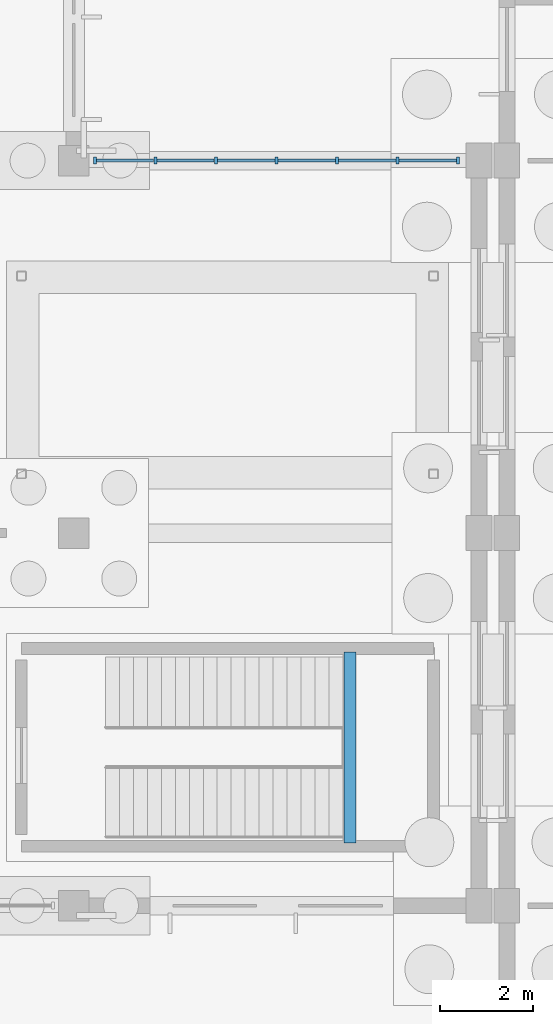
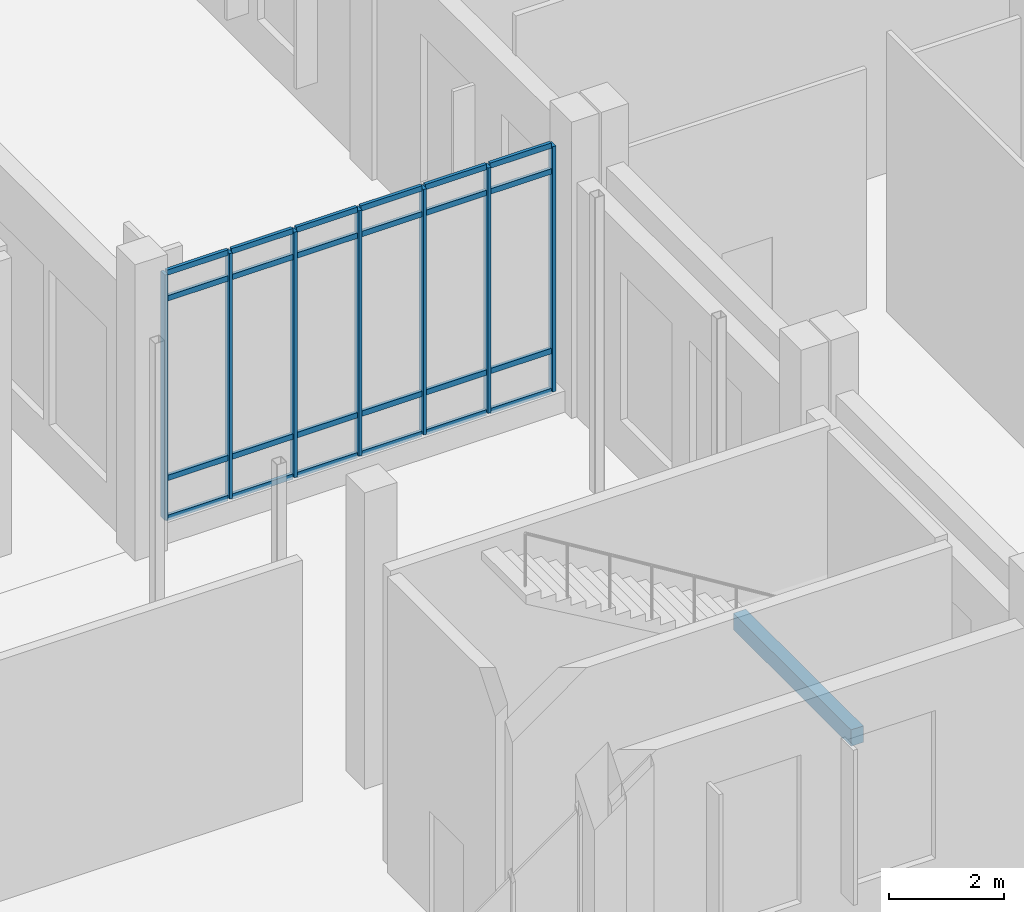
# One storey, part 42 of 99: 31 members, 1 beam, 1 element without a shape of its own.
"""IFC4 building model written with IfcOpenShell, lengths in metres."""

from ifc_helpers import new_model, si_unit, direction, frame, origin, origin_2d, place, context, subcontext, project, spatial, rectangle, extrude, material, layer, layer_set, material_profile, profile_set, type_object, element, aggregate, save


model = new_model("IFC4")

# Units and contexts
model_context = context("Model", 3, precision=1e-05, world=origin(), true_north=direction((0.0, 1.0)))
body_context = subcontext(model_context, "Body", "Model", "MODEL_VIEW")
ifc_project = project(units=[si_unit("LENGTHUNIT", "METRE"), si_unit("AREAUNIT", "SQUARE_METRE"), si_unit("VOLUMEUNIT", "CUBIC_METRE"), si_unit("PLANEANGLEUNIT", "RADIAN"), si_unit("MASSUNIT", "GRAM", prefix="KILO")], contexts=[model_context])

# Site, building, storey
site_placement = place(None, origin())
site = spatial("IfcSite", under=ifc_project, at=site_placement, CompositionType="ELEMENT")
building_placement = place(site_placement, origin())
building = spatial("IfcBuilding", under=site, at=building_placement, Name="Zacnel Wholesale Market", CompositionType="ELEMENT")
storey_placement = place(building_placement, origin())
storey = spatial("IfcBuildingStorey", under=building, at=storey_placement, Name="L01", CompositionType="ELEMENT", Elevation=0.0)

# Beam
ifc_material_1 = material(Name="Precast concrete C45/55", Category="concrete")
ifc_material_profile_1 = material_profile(ifc_material_1, rectangle(XDim=0.25, YDim=0.35009765625, at=origin_2d()), Name="LN 250x350")
ifc_profile_set_1 = profile_set([ifc_material_profile_1], Name="Precast concrete C45/55")
beam_type = type_object("IfcBeamType", Name="BM-LN350", PredefinedType="LINTEL", material=ifc_profile_set_1)
beam_placement = place(storey_placement, frame((140.929931640625, 9.35009765625, 2.77490234375), z_axis=(0.0, 1.0, 0.0), x_axis=(-1.0, 0.0, 0.0)))
element("IfcBeam", 1, at=beam_placement, inside=storey, type_object=beam_type, Name="Stair ST-24 half-landing bearing beam", PredefinedType="LINTEL", context=body_context, shape_type="SweptSolid", body=[
    extrude(rectangle(XDim=0.25, YDim=0.35009765625, at=origin_2d()), origin(), (0.0, 0.0, 1.0), 4.099853515625),
])

# Curtain wall, members
ifc_material_2 = material(Name="Anodised aluminium", Category="aluminium")
ifc_layer = layer(ifc_material_2, 0.159912109375)
ifc_layer_set = layer_set([ifc_layer], Name="Anodised aluminium")
curtain_wall_type = type_object("IfcCurtainWallType", Name="CW-TERR-3900", PredefinedType="NOTDEFINED", material=ifc_layer_set)
curtain_wall_placement = place(storey_placement, origin())
curtain_wall = element("IfcCurtainWall", 2, at=curtain_wall_placement, inside=storey, type_object=curtain_wall_type, Name="Curtain wall ENV-R2-CW-L01-004", PredefinedType="NOTDEFINED")
ifc_material_3 = material(Name="Anodised aluminium", Category="aluminium")
ifc_material_profile_2 = material_profile(ifc_material_3, rectangle(XDim=0.06494140625, YDim=0.14990234375, at=origin_2d()), Name="AW-MULLION 65x150")
ifc_profile_set_2 = profile_set([ifc_material_profile_2], Name="Anodised aluminium")
member_type_1 = type_object("IfcMemberType", Name="CWM-MUL-05", PredefinedType="MULLION", material=ifc_profile_set_2)
member_1_placement = place(storey_placement, frame((135.449951171875, 24.0, 0.449951171875), z_axis=(0.0, 0.0, 1.0), x_axis=(1.0, 0.0, 0.0)))
member_1 = element("IfcMember", 3, at=member_1_placement, type_object=member_type_1, Name="ENV-R2-CW-L01-004 mullion 01", PredefinedType="MULLION", context=body_context, shape_type="SweptSolid", body=[
    extrude(rectangle(XDim=0.06494140625, YDim=0.14990234375, at=origin_2d()), origin(), (0.0, 0.0, 1.0), 5.219970703125),
])
member_2_placement = place(storey_placement, frame((136.75, 24.0, 0.449951171875), z_axis=(0.0, 0.0, 1.0), x_axis=(1.0, 0.0, 0.0)))
member_2 = element("IfcMember", 4, at=member_2_placement, type_object=member_type_1, Name="ENV-R2-CW-L01-004 mullion 02", PredefinedType="MULLION", context=body_context, shape_type="SweptSolid", body=[
    extrude(rectangle(XDim=0.06494140625, YDim=0.14990234375, at=origin_2d()), origin(), (0.0, 0.0, 1.0), 5.219970703125),
])
member_3_placement = place(storey_placement, frame((138.050048828125, 24.0, 0.449951171875), z_axis=(0.0, 0.0, 1.0), x_axis=(1.0, 0.0, 0.0)))
member_3 = element("IfcMember", 5, at=member_3_placement, type_object=member_type_1, Name="ENV-R2-CW-L01-004 mullion 03", PredefinedType="MULLION", context=body_context, shape_type="SweptSolid", body=[
    extrude(rectangle(XDim=0.06494140625, YDim=0.14990234375, at=origin_2d()), origin(), (0.0, 0.0, 1.0), 5.219970703125),
])
member_4_placement = place(storey_placement, frame((139.35009765625, 24.0, 0.449951171875), z_axis=(0.0, 0.0, 1.0), x_axis=(1.0, 0.0, 0.0)))
member_4 = element("IfcMember", 6, at=member_4_placement, type_object=member_type_1, Name="ENV-R2-CW-L01-004 mullion 04", PredefinedType="MULLION", context=body_context, shape_type="SweptSolid", body=[
    extrude(rectangle(XDim=0.06494140625, YDim=0.14990234375, at=origin_2d()), origin(), (0.0, 0.0, 1.0), 5.219970703125),
])
member_5_placement = place(storey_placement, frame((140.64990234375, 24.0, 0.449951171875), z_axis=(0.0, 0.0, 1.0), x_axis=(1.0, 0.0, 0.0)))
member_5 = element("IfcMember", 7, at=member_5_placement, type_object=member_type_1, Name="ENV-R2-CW-L01-004 mullion 05", PredefinedType="MULLION", context=body_context, shape_type="SweptSolid", body=[
    extrude(rectangle(XDim=0.06494140625, YDim=0.14990234375, at=origin_2d()), origin(), (0.0, 0.0, 1.0), 5.219970703125),
])
member_6_placement = place(storey_placement, frame((141.949951171875, 24.0, 0.449951171875), z_axis=(0.0, 0.0, 1.0), x_axis=(1.0, 0.0, 0.0)))
member_6 = element("IfcMember", 8, at=member_6_placement, type_object=member_type_1, Name="ENV-R2-CW-L01-004 mullion 06", PredefinedType="MULLION", context=body_context, shape_type="SweptSolid", body=[
    extrude(rectangle(XDim=0.06494140625, YDim=0.14990234375, at=origin_2d()), origin(), (0.0, 0.0, 1.0), 5.219970703125),
])
member_7_placement = place(storey_placement, frame((143.25, 24.0, 0.449951171875), z_axis=(0.0, 0.0, 1.0), x_axis=(1.0, 0.0, 0.0)))
member_7 = element("IfcMember", 9, at=member_7_placement, type_object=member_type_1, Name="ENV-R2-CW-L01-004 mullion 07", PredefinedType="MULLION", context=body_context, shape_type="SweptSolid", body=[
    extrude(rectangle(XDim=0.06494140625, YDim=0.14990234375, at=origin_2d()), origin(), (0.0, 0.0, 1.0), 5.219970703125),
])
ifc_material_4 = material(Name="Anodised aluminium", Category="aluminium")
ifc_material_profile_3 = material_profile(ifc_material_4, rectangle(XDim=0.06494140625, YDim=0.114990234375, at=origin_2d()), Name="AW-TRANSOM 65x115")
ifc_profile_set_3 = profile_set([ifc_material_profile_3], Name="Anodised aluminium")
member_type_2 = type_object("IfcMemberType", Name="CWM-TRN-05", PredefinedType="USERDEFINED", material=ifc_profile_set_3)
member_8_placement = place(storey_placement, frame((135.485107421875, 24.0, 0.449951171875), z_axis=(1.0, 0.0, 0.0), x_axis=(0.0, 1.0, 0.0)))
member_8 = element("IfcMember", 10, at=member_8_placement, type_object=member_type_2, Name="ENV-R2-CW-L01-004 transom 1-1", ObjectType="TRANSOM", PredefinedType="USERDEFINED", context=body_context, shape_type="SweptSolid", body=[
    extrude(rectangle(XDim=0.06494140625, YDim=0.114990234375, at=origin_2d()), origin(), (0.0, 0.0, 1.0), 1.22998046875),
])
member_9_placement = place(storey_placement, frame((135.485107421875, 24.0, 1.300048828125), z_axis=(1.0, 0.0, 0.0), x_axis=(0.0, 1.0, 0.0)))
member_9 = element("IfcMember", 11, at=member_9_placement, type_object=member_type_2, Name="ENV-R2-CW-L01-004 transom 1-2", ObjectType="TRANSOM", PredefinedType="USERDEFINED", context=body_context, shape_type="SweptSolid", body=[
    extrude(rectangle(XDim=0.06494140625, YDim=0.114990234375, at=origin_2d()), origin(), (0.0, 0.0, 1.0), 1.22998046875),
])
member_10_placement = place(storey_placement, frame((135.485107421875, 24.0, 5.1201171875), z_axis=(1.0, 0.0, 0.0), x_axis=(0.0, 1.0, 0.0)))
member_10 = element("IfcMember", 12, at=member_10_placement, type_object=member_type_2, Name="ENV-R2-CW-L01-004 transom 1-3", ObjectType="TRANSOM", PredefinedType="USERDEFINED", context=body_context, shape_type="SweptSolid", body=[
    extrude(rectangle(XDim=0.06494140625, YDim=0.114990234375, at=origin_2d()), origin(), (0.0, 0.0, 1.0), 1.22998046875),
])
member_11_placement = place(storey_placement, frame((135.485107421875, 24.0, 5.669921875), z_axis=(1.0, 0.0, 0.0), x_axis=(0.0, 1.0, 0.0)))
member_11 = element("IfcMember", 13, at=member_11_placement, type_object=member_type_2, Name="ENV-R2-CW-L01-004 transom 1-4", ObjectType="TRANSOM", PredefinedType="USERDEFINED", context=body_context, shape_type="SweptSolid", body=[
    extrude(rectangle(XDim=0.06494140625, YDim=0.114990234375, at=origin_2d()), origin(), (0.0, 0.0, 1.0), 1.22998046875),
])
member_12_placement = place(storey_placement, frame((136.784912109375, 24.0, 0.449951171875), z_axis=(1.0, 0.0, 0.0), x_axis=(0.0, 1.0, 0.0)))
member_12 = element("IfcMember", 14, at=member_12_placement, type_object=member_type_2, Name="ENV-R2-CW-L01-004 transom 2-1", ObjectType="TRANSOM", PredefinedType="USERDEFINED", context=body_context, shape_type="SweptSolid", body=[
    extrude(rectangle(XDim=0.06494140625, YDim=0.114990234375, at=origin_2d()), origin(), (0.0, 0.0, 1.0), 1.22998046875),
])
member_13_placement = place(storey_placement, frame((136.784912109375, 24.0, 1.300048828125), z_axis=(1.0, 0.0, 0.0), x_axis=(0.0, 1.0, 0.0)))
member_13 = element("IfcMember", 15, at=member_13_placement, type_object=member_type_2, Name="ENV-R2-CW-L01-004 transom 2-2", ObjectType="TRANSOM", PredefinedType="USERDEFINED", context=body_context, shape_type="SweptSolid", body=[
    extrude(rectangle(XDim=0.06494140625, YDim=0.114990234375, at=origin_2d()), origin(), (0.0, 0.0, 1.0), 1.22998046875),
])
member_14_placement = place(storey_placement, frame((136.784912109375, 24.0, 5.1201171875), z_axis=(1.0, 0.0, 0.0), x_axis=(0.0, 1.0, 0.0)))
member_14 = element("IfcMember", 16, at=member_14_placement, type_object=member_type_2, Name="ENV-R2-CW-L01-004 transom 2-3", ObjectType="TRANSOM", PredefinedType="USERDEFINED", context=body_context, shape_type="SweptSolid", body=[
    extrude(rectangle(XDim=0.06494140625, YDim=0.114990234375, at=origin_2d()), origin(), (0.0, 0.0, 1.0), 1.22998046875),
])
member_15_placement = place(storey_placement, frame((136.784912109375, 24.0, 5.669921875), z_axis=(1.0, 0.0, 0.0), x_axis=(0.0, 1.0, 0.0)))
member_15 = element("IfcMember", 17, at=member_15_placement, type_object=member_type_2, Name="ENV-R2-CW-L01-004 transom 2-4", ObjectType="TRANSOM", PredefinedType="USERDEFINED", context=body_context, shape_type="SweptSolid", body=[
    extrude(rectangle(XDim=0.06494140625, YDim=0.114990234375, at=origin_2d()), origin(), (0.0, 0.0, 1.0), 1.22998046875),
])
member_16_placement = place(storey_placement, frame((138.0849609375, 24.0, 0.449951171875), z_axis=(1.0, 0.0, 0.0), x_axis=(0.0, 1.0, 0.0)))
member_16 = element("IfcMember", 18, at=member_16_placement, type_object=member_type_2, Name="ENV-R2-CW-L01-004 transom 3-1", ObjectType="TRANSOM", PredefinedType="USERDEFINED", context=body_context, shape_type="SweptSolid", body=[
    extrude(rectangle(XDim=0.06494140625, YDim=0.114990234375, at=origin_2d()), origin(), (0.0, 0.0, 1.0), 1.22998046875),
])
member_17_placement = place(storey_placement, frame((138.0849609375, 24.0, 1.300048828125), z_axis=(1.0, 0.0, 0.0), x_axis=(0.0, 1.0, 0.0)))
member_17 = element("IfcMember", 19, at=member_17_placement, type_object=member_type_2, Name="ENV-R2-CW-L01-004 transom 3-2", ObjectType="TRANSOM", PredefinedType="USERDEFINED", context=body_context, shape_type="SweptSolid", body=[
    extrude(rectangle(XDim=0.06494140625, YDim=0.114990234375, at=origin_2d()), origin(), (0.0, 0.0, 1.0), 1.22998046875),
])
member_18_placement = place(storey_placement, frame((138.0849609375, 24.0, 5.1201171875), z_axis=(1.0, 0.0, 0.0), x_axis=(0.0, 1.0, 0.0)))
member_18 = element("IfcMember", 20, at=member_18_placement, type_object=member_type_2, Name="ENV-R2-CW-L01-004 transom 3-3", ObjectType="TRANSOM", PredefinedType="USERDEFINED", context=body_context, shape_type="SweptSolid", body=[
    extrude(rectangle(XDim=0.06494140625, YDim=0.114990234375, at=origin_2d()), origin(), (0.0, 0.0, 1.0), 1.22998046875),
])
member_19_placement = place(storey_placement, frame((138.0849609375, 24.0, 5.669921875), z_axis=(1.0, 0.0, 0.0), x_axis=(0.0, 1.0, 0.0)))
member_19 = element("IfcMember", 21, at=member_19_placement, type_object=member_type_2, Name="ENV-R2-CW-L01-004 transom 3-4", ObjectType="TRANSOM", PredefinedType="USERDEFINED", context=body_context, shape_type="SweptSolid", body=[
    extrude(rectangle(XDim=0.06494140625, YDim=0.114990234375, at=origin_2d()), origin(), (0.0, 0.0, 1.0), 1.22998046875),
])
member_20_placement = place(storey_placement, frame((139.385009765625, 24.0, 0.449951171875), z_axis=(1.0, 0.0, 0.0), x_axis=(0.0, 1.0, 0.0)))
member_20 = element("IfcMember", 22, at=member_20_placement, type_object=member_type_2, Name="ENV-R2-CW-L01-004 transom 4-1", ObjectType="TRANSOM", PredefinedType="USERDEFINED", context=body_context, shape_type="SweptSolid", body=[
    extrude(rectangle(XDim=0.06494140625, YDim=0.114990234375, at=origin_2d()), origin(), (0.0, 0.0, 1.0), 1.22998046875),
])
member_21_placement = place(storey_placement, frame((139.385009765625, 24.0, 1.300048828125), z_axis=(1.0, 0.0, 0.0), x_axis=(0.0, 1.0, 0.0)))
member_21 = element("IfcMember", 23, at=member_21_placement, type_object=member_type_2, Name="ENV-R2-CW-L01-004 transom 4-2", ObjectType="TRANSOM", PredefinedType="USERDEFINED", context=body_context, shape_type="SweptSolid", body=[
    extrude(rectangle(XDim=0.06494140625, YDim=0.114990234375, at=origin_2d()), origin(), (0.0, 0.0, 1.0), 1.22998046875),
])
member_22_placement = place(storey_placement, frame((139.385009765625, 24.0, 5.1201171875), z_axis=(1.0, 0.0, 0.0), x_axis=(0.0, 1.0, 0.0)))
member_22 = element("IfcMember", 24, at=member_22_placement, type_object=member_type_2, Name="ENV-R2-CW-L01-004 transom 4-3", ObjectType="TRANSOM", PredefinedType="USERDEFINED", context=body_context, shape_type="SweptSolid", body=[
    extrude(rectangle(XDim=0.06494140625, YDim=0.114990234375, at=origin_2d()), origin(), (0.0, 0.0, 1.0), 1.22998046875),
])
member_23_placement = place(storey_placement, frame((139.385009765625, 24.0, 5.669921875), z_axis=(1.0, 0.0, 0.0), x_axis=(0.0, 1.0, 0.0)))
member_23 = element("IfcMember", 25, at=member_23_placement, type_object=member_type_2, Name="ENV-R2-CW-L01-004 transom 4-4", ObjectType="TRANSOM", PredefinedType="USERDEFINED", context=body_context, shape_type="SweptSolid", body=[
    extrude(rectangle(XDim=0.06494140625, YDim=0.114990234375, at=origin_2d()), origin(), (0.0, 0.0, 1.0), 1.22998046875),
])
member_24_placement = place(storey_placement, frame((140.68505859375, 24.0, 0.449951171875), z_axis=(1.0, 0.0, 0.0), x_axis=(0.0, 1.0, 0.0)))
member_24 = element("IfcMember", 26, at=member_24_placement, type_object=member_type_2, Name="ENV-R2-CW-L01-004 transom 5-1", ObjectType="TRANSOM", PredefinedType="USERDEFINED", context=body_context, shape_type="SweptSolid", body=[
    extrude(rectangle(XDim=0.06494140625, YDim=0.114990234375, at=origin_2d()), origin(), (0.0, 0.0, 1.0), 1.22998046875),
])
member_25_placement = place(storey_placement, frame((140.68505859375, 24.0, 1.300048828125), z_axis=(1.0, 0.0, 0.0), x_axis=(0.0, 1.0, 0.0)))
member_25 = element("IfcMember", 27, at=member_25_placement, type_object=member_type_2, Name="ENV-R2-CW-L01-004 transom 5-2", ObjectType="TRANSOM", PredefinedType="USERDEFINED", context=body_context, shape_type="SweptSolid", body=[
    extrude(rectangle(XDim=0.06494140625, YDim=0.114990234375, at=origin_2d()), origin(), (0.0, 0.0, 1.0), 1.22998046875),
])
member_26_placement = place(storey_placement, frame((140.68505859375, 24.0, 5.1201171875), z_axis=(1.0, 0.0, 0.0), x_axis=(0.0, 1.0, 0.0)))
member_26 = element("IfcMember", 28, at=member_26_placement, type_object=member_type_2, Name="ENV-R2-CW-L01-004 transom 5-3", ObjectType="TRANSOM", PredefinedType="USERDEFINED", context=body_context, shape_type="SweptSolid", body=[
    extrude(rectangle(XDim=0.06494140625, YDim=0.114990234375, at=origin_2d()), origin(), (0.0, 0.0, 1.0), 1.22998046875),
])
member_27_placement = place(storey_placement, frame((140.68505859375, 24.0, 5.669921875), z_axis=(1.0, 0.0, 0.0), x_axis=(0.0, 1.0, 0.0)))
member_27 = element("IfcMember", 29, at=member_27_placement, type_object=member_type_2, Name="ENV-R2-CW-L01-004 transom 5-4", ObjectType="TRANSOM", PredefinedType="USERDEFINED", context=body_context, shape_type="SweptSolid", body=[
    extrude(rectangle(XDim=0.06494140625, YDim=0.114990234375, at=origin_2d()), origin(), (0.0, 0.0, 1.0), 1.22998046875),
])
member_28_placement = place(storey_placement, frame((141.985107421875, 24.0, 0.449951171875), z_axis=(1.0, 0.0, 0.0), x_axis=(0.0, 1.0, 0.0)))
member_28 = element("IfcMember", 30, at=member_28_placement, type_object=member_type_2, Name="ENV-R2-CW-L01-004 transom 6-1", ObjectType="TRANSOM", PredefinedType="USERDEFINED", context=body_context, shape_type="SweptSolid", body=[
    extrude(rectangle(XDim=0.06494140625, YDim=0.114990234375, at=origin_2d()), origin(), (0.0, 0.0, 1.0), 1.22998046875),
])
member_29_placement = place(storey_placement, frame((141.985107421875, 24.0, 1.300048828125), z_axis=(1.0, 0.0, 0.0), x_axis=(0.0, 1.0, 0.0)))
member_29 = element("IfcMember", 31, at=member_29_placement, type_object=member_type_2, Name="ENV-R2-CW-L01-004 transom 6-2", ObjectType="TRANSOM", PredefinedType="USERDEFINED", context=body_context, shape_type="SweptSolid", body=[
    extrude(rectangle(XDim=0.06494140625, YDim=0.114990234375, at=origin_2d()), origin(), (0.0, 0.0, 1.0), 1.22998046875),
])
member_30_placement = place(storey_placement, frame((141.985107421875, 24.0, 5.1201171875), z_axis=(1.0, 0.0, 0.0), x_axis=(0.0, 1.0, 0.0)))
member_30 = element("IfcMember", 32, at=member_30_placement, type_object=member_type_2, Name="ENV-R2-CW-L01-004 transom 6-3", ObjectType="TRANSOM", PredefinedType="USERDEFINED", context=body_context, shape_type="SweptSolid", body=[
    extrude(rectangle(XDim=0.06494140625, YDim=0.114990234375, at=origin_2d()), origin(), (0.0, 0.0, 1.0), 1.22998046875),
])
member_31_placement = place(storey_placement, frame((141.985107421875, 24.0, 5.669921875), z_axis=(1.0, 0.0, 0.0), x_axis=(0.0, 1.0, 0.0)))
member_31 = element("IfcMember", 33, at=member_31_placement, type_object=member_type_2, Name="ENV-R2-CW-L01-004 transom 6-4", ObjectType="TRANSOM", PredefinedType="USERDEFINED", context=body_context, shape_type="SweptSolid", body=[
    extrude(rectangle(XDim=0.06494140625, YDim=0.114990234375, at=origin_2d()), origin(), (0.0, 0.0, 1.0), 1.22998046875),
])
aggregate(curtain_wall, [member_1, member_2, member_3, member_4, member_5, member_6, member_7, member_8, member_9, member_10, member_11, member_12, member_13, member_14, member_15, member_16, member_17, member_18, member_19, member_20, member_21, member_22, member_23, member_24, member_25, member_26, member_27, member_28, member_29, member_30, member_31])

save(model, "model.ifc")
